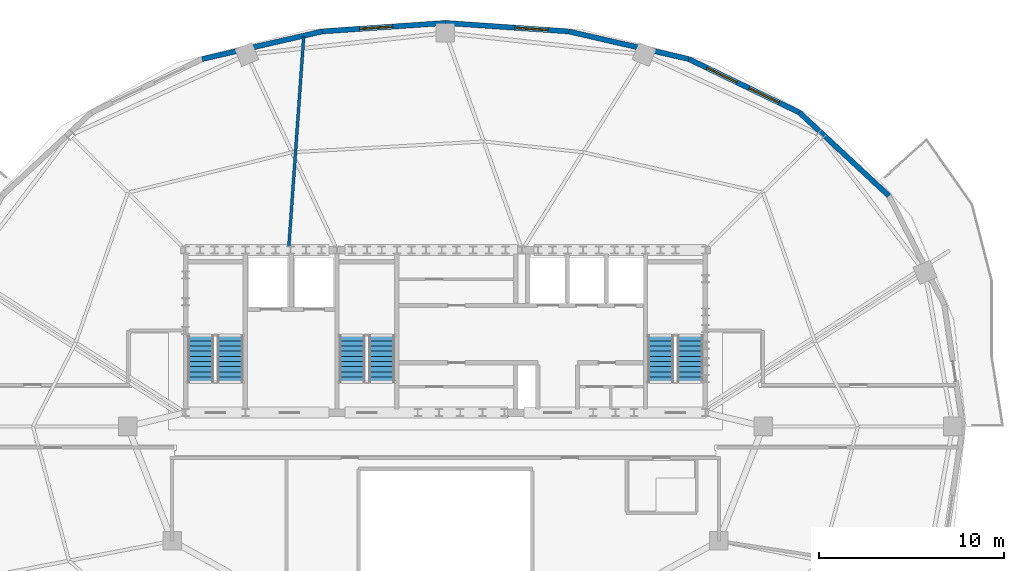
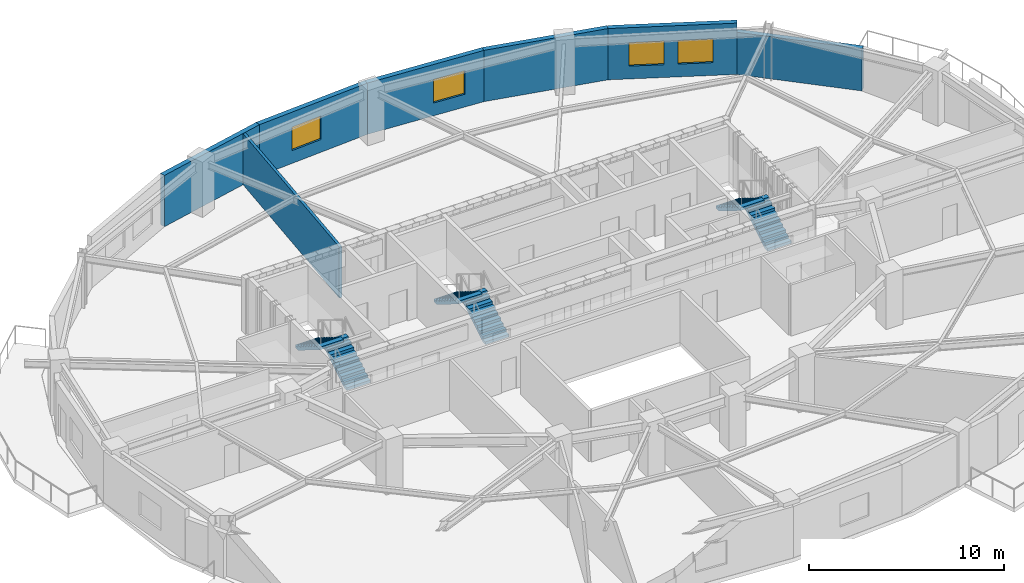
# One storey, part 6 of 11: 7 walls, 6 stair flights, 4 windows, 4 openings, 3 elements without a shape of their own.
"""IFC4 building model written with IfcOpenShell, lengths in metres."""

from ifc_helpers import new_model, si_unit, direction, frame, frame_2d, origin, place, context, subcontext, project, spatial, polyline, rectangle, outline, extrude, material, layer, layer_set, type_object, element, fill, aggregate, save


model = new_model("IFC4")

# Units and contexts
model_context = context("Model", 3, precision=1e-05, world=origin(), true_north=direction((0.0, 1.0)))
body_context = subcontext(model_context, "Body", "Model", "MODEL_VIEW")
ifc_project = project(units=[si_unit("LENGTHUNIT", "METRE"), si_unit("AREAUNIT", "SQUARE_METRE"), si_unit("VOLUMEUNIT", "CUBIC_METRE"), si_unit("PLANEANGLEUNIT", "RADIAN"), si_unit("MASSUNIT", "GRAM", prefix="KILO")], contexts=[model_context])

# Site, building, storey
site_placement = place(None, origin())
site = spatial("IfcSite", under=ifc_project, at=site_placement, CompositionType="ELEMENT")
building_placement = place(site_placement, origin())
building = spatial("IfcBuilding", under=site, at=building_placement, Name="Haldorwick Loom Tower", CompositionType="ELEMENT")
storey_placement = place(building_placement, frame((0.0, 0.0, 234.0)))
storey = spatial("IfcBuildingStorey", under=building, at=storey_placement, Name="L63", CompositionType="ELEMENT", Elevation=234.0)

# Wall
ifc_material_1 = material(Name="Pressed Clay Face Brick and Insulated Masonry Backup Assembly", Category="masonry")
ifc_layer_1 = layer(ifc_material_1, 0.280029296875, Name="Pressed Clay Face Brick and Insulated Masonry Backup Assembly", Category="masonry")
ifc_layer_set_1 = layer_set([ifc_layer_1], Name="Pressed Clay Face Brick and Insulated Masonry Backup Assembly")
wall_type_1 = type_object("IfcWallType", Name="ARC-WL-EXT280", PredefinedType="STANDARD", material=ifc_layer_set_1)
wall_1_placement = place(storey_placement, frame((60.005615234375, 38.4853515625, 0.0), z_axis=(0.0, 0.0, 1.0), x_axis=(-0.731833707499, 0.681483253329, 0.0)))
element("IfcWall", 1, at=wall_1_placement, inside=storey, type_object=wall_type_1, Name="L63 Brick Pier and Spandrel Wall 3", PredefinedType="STANDARD", context=body_context, shape_type="SweptSolid", body=[
    extrude(rectangle(XDim=6.61865234375, YDim=0.280029296875, at=frame_2d((3.309326171875, 0.0))), origin(), (0.0, 0.0, 1.0), 2.64111328125),
])

# Wall, openings, windows
wall_2_placement = place(storey_placement, frame((55.161865234375, 42.995849609375, 0.0), z_axis=(0.0, 0.0, 1.0), x_axis=(-0.900371236029, 0.435122554381, 0.0)))
wall_2 = element("IfcWall", 2, at=wall_2_placement, inside=storey, type_object=wall_type_1, Name="L63 Brick Pier and Spandrel Wall 4", PredefinedType="STANDARD", context=body_context, shape_type="SweptSolid", body=[
    extrude(rectangle(XDim=6.6533203125, YDim=0.280029296875, at=frame_2d((3.32666015625, 0.0))), origin(), (0.0, 0.0, 1.0), 3.2099609375),
])
opening_1_placement = place(wall_2_placement, frame((1.234375, 0.0, 0.800048828125)))
opening_1 = element("IfcOpeningElement", 3, at=opening_1_placement, cuts=wall_2, Name="Opening W-01", PredefinedType="OPENING", context=body_context, shape_type="SweptSolid", body=[
    extrude(rectangle(XDim=1.800048828125, YDim=1.47998046875, at=frame_2d((0.89990234375, 0.739990234375))), frame((0.0, 0.14990234375, 0.0), z_axis=(0.0, -1.0, 0.0), x_axis=(1.0, 0.0, 0.0)), (0.0, 0.0, 1.0), 0.300048828125),
])
opening_2_placement = place(wall_2_placement, frame((3.75732421875, 0.0, 0.800048828125)))
opening_2 = element("IfcOpeningElement", 4, at=opening_2_placement, cuts=wall_2, Name="Opening W-01", PredefinedType="OPENING", context=body_context, shape_type="SweptSolid", body=[
    extrude(rectangle(XDim=1.800048828125, YDim=1.47998046875, at=frame_2d((0.89990234375, 0.739990234375))), frame((0.0, 0.14990234375, 0.0), z_axis=(0.0, -1.0, 0.0), x_axis=(1.0, 0.0, 0.0)), (0.0, 0.0, 1.0), 0.300048828125),
])
ifc_material_2 = material(Name="Triple-Glazed Low-E Argon Insulated Glazing Unit", Category="glass")
window_type = type_object("IfcWindowType", Name="ARC-WIN-W180", PartitioningType="SINGLE_PANEL", PredefinedType="WINDOW", material=ifc_material_2)
window_1_placement = place(opening_1_placement, origin())
window_1 = element("IfcWindow", 5, at=window_1_placement, inside=storey, type_object=window_type, Name="L63 Deep-Set Zone 7A Window 4", OverallHeight=1.47998046875, OverallWidth=1.800048828125, PartitioningType="SINGLE_PANEL", PredefinedType="WINDOW", context=body_context, shape_type="SweptSolid", body=[
    extrude(rectangle(XDim=1.800048828125, YDim=1.47998046875, at=frame_2d((0.89990234375, 0.739990234375))), frame((0.0, 0.030029296875, 0.0), z_axis=(0.0, -1.0, 0.0), x_axis=(1.0, 0.0, 0.0)), (0.0, 0.0, 1.0), 0.06005859375),
])
fill(opening_1, window_1)
window_2_placement = place(opening_2_placement, origin())
window_2 = element("IfcWindow", 6, at=window_2_placement, inside=storey, type_object=window_type, Name="L63 Deep-Set Zone 7A Window 4", OverallHeight=1.47998046875, OverallWidth=1.800048828125, PartitioningType="SINGLE_PANEL", PredefinedType="WINDOW", context=body_context, shape_type="SweptSolid", body=[
    extrude(rectangle(XDim=1.800048828125, YDim=1.47998046875, at=frame_2d((0.89990234375, 0.739990234375))), frame((0.0, 0.030029296875, 0.0), z_axis=(0.0, -1.0, 0.0), x_axis=(1.0, 0.0, 0.0)), (0.0, 0.0, 1.0), 0.06005859375),
])
fill(opening_2, window_2)

# Wall
wall_3_placement = place(storey_placement, frame((49.17138671875, 45.890869140625, 0.0), z_axis=(0.0, 0.0, 1.0), x_axis=(-0.974557343474, 0.224138315065, 0.0)))
element("IfcWall", 7, at=wall_3_placement, inside=storey, type_object=wall_type_1, Name="L63 Brick Pier and Spandrel Wall 5", PredefinedType="STANDARD", context=body_context, shape_type="SweptSolid", body=[
    extrude(rectangle(XDim=6.676025390625, YDim=0.280029296875, at=frame_2d((3.337890625, 0.0))), origin(), (0.0, 0.0, 1.0), 3.2099609375),
])

# Wall, opening, window
wall_4_placement = place(storey_placement, frame((42.665283203125, 47.38720703125, 0.0), z_axis=(0.0, 0.0, 1.0), x_axis=(-0.99764992135, 0.068517402386, 0.0)))
wall_4 = element("IfcWall", 8, at=wall_4_placement, inside=storey, type_object=wall_type_1, Name="L63 Brick Pier and Spandrel Wall 6", PredefinedType="STANDARD", context=body_context, shape_type="SweptSolid", body=[
    extrude(rectangle(XDim=6.680908203125, YDim=0.280029296875, at=frame_2d((3.34033203125, 0.0))), origin(), (0.0, 0.0, 1.0), 3.2099609375),
])
opening_3_placement = place(wall_4_placement, frame((1.104248046875, 0.0, 0.800048828125)))
opening_3 = element("IfcOpeningElement", 9, at=opening_3_placement, cuts=wall_4, Name="Opening W-01", PredefinedType="OPENING", context=body_context, shape_type="SweptSolid", body=[
    extrude(rectangle(XDim=1.800048828125, YDim=1.47998046875, at=frame_2d((0.89990234375, 0.739990234375))), frame((0.0, 0.14990234375, 0.0), z_axis=(0.0, -1.0, 0.0), x_axis=(1.0, 0.0, 0.0)), (0.0, 0.0, 1.0), 0.300048828125),
])
window_3_placement = place(opening_3_placement, origin())
window_3 = element("IfcWindow", 10, at=window_3_placement, inside=storey, type_object=window_type, Name="L63 Deep-Set Zone 7A Window 6", OverallHeight=1.47998046875, OverallWidth=1.800048828125, PartitioningType="SINGLE_PANEL", PredefinedType="WINDOW", context=body_context, shape_type="SweptSolid", body=[
    extrude(rectangle(XDim=1.800048828125, YDim=1.47998046875, at=frame_2d((0.89990234375, 0.739990234375))), frame((0.0, 0.030029296875, 0.0), z_axis=(0.0, -1.0, 0.0), x_axis=(1.0, 0.0, 0.0)), (0.0, 0.0, 1.0), 0.06005859375),
])
fill(opening_3, window_3)

wall_5_placement = place(storey_placement, frame((36.0, 47.844970703125, 0.0), z_axis=(0.0, 0.0, 1.0), x_axis=(-0.99764992135, -0.068517402386, 0.0)))
wall_5 = element("IfcWall", 11, at=wall_5_placement, inside=storey, type_object=wall_type_1, Name="L63 Brick Pier and Spandrel Wall 7", PredefinedType="STANDARD", context=body_context, shape_type="SweptSolid", body=[
    extrude(rectangle(XDim=6.680908203125, YDim=0.280029296875, at=frame_2d((3.34033203125, 0.0))), origin(), (0.0, 0.0, 1.0), 3.2099609375),
])
opening_4_placement = place(wall_5_placement, frame((2.860595703125, 0.0, 0.800048828125)))
opening_4 = element("IfcOpeningElement", 12, at=opening_4_placement, cuts=wall_5, Name="Opening W-01", PredefinedType="OPENING", context=body_context, shape_type="SweptSolid", body=[
    extrude(rectangle(XDim=1.800048828125, YDim=1.47998046875, at=frame_2d((0.89990234375, 0.739990234375))), frame((0.0, 0.14990234375, 0.0), z_axis=(0.0, -1.0, 0.0), x_axis=(1.0, 0.0, 0.0)), (0.0, 0.0, 1.0), 0.300048828125),
])
window_4_placement = place(opening_4_placement, origin())
window_4 = element("IfcWindow", 13, at=window_4_placement, inside=storey, type_object=window_type, Name="L63 Deep-Set Zone 7A Window 7", OverallHeight=1.47998046875, OverallWidth=1.800048828125, PartitioningType="SINGLE_PANEL", PredefinedType="WINDOW", context=body_context, shape_type="SweptSolid", body=[
    extrude(rectangle(XDim=1.800048828125, YDim=1.47998046875, at=frame_2d((0.89990234375, 0.739990234375))), frame((0.0, 0.030029296875, 0.0), z_axis=(0.0, -1.0, 0.0), x_axis=(1.0, 0.0, 0.0)), (0.0, 0.0, 1.0), 0.06005859375),
])
fill(opening_4, window_4)

# Walls
wall_6_placement = place(storey_placement, frame((29.334716796875, 47.38720703125, 0.0), z_axis=(0.0, 0.0, 1.0), x_axis=(-0.974557343474, -0.224138315065, 0.0)))
element("IfcWall", 14, at=wall_6_placement, inside=storey, type_object=wall_type_1, Name="L63 Brick Pier and Spandrel Wall 8", PredefinedType="STANDARD", context=body_context, shape_type="SweptSolid", body=[
    extrude(rectangle(XDim=6.676025390625, YDim=0.280029296875, at=frame_2d((3.337890625, 0.0))), origin(), (0.0, 0.0, 1.0), 3.2099609375),
])
ifc_material_3 = material(Name="Fire-Rated Type X Gypsum Stud Assembly EI 60")
ifc_layer_2 = layer(ifc_material_3, 0.159912109375, Name="Fire-Rated Type X Gypsum Stud Assembly EI 60")
ifc_layer_set_2 = layer_set([ifc_layer_2], Name="Fire-Rated Type X Gypsum Stud Assembly EI 60")
wall_type_2 = type_object("IfcWallType", Name="ARC-WL-FIRE160", PredefinedType="PARTITIONING", material=ifc_layer_set_2)
wall_7_placement = place(storey_placement, frame((27.521484375, 35.7529296875, 0.0), z_axis=(0.0, 0.0, 1.0), x_axis=(0.070702976907, 0.997497413058, 0.0)))
element("IfcWall", 15, at=wall_7_placement, inside=storey, type_object=wall_type_2, Name="L63 Residential Fire Partition L63-UPN-C3", PredefinedType="PARTITIONING", context=body_context, shape_type="SweptSolid", body=[
    extrude(rectangle(XDim=11.384765625, YDim=0.159912109375, at=frame_2d((5.6923828125, 0.0))), origin(), (0.0, 0.0, 1.0), 3.195068359375),
])

# Stair, stair flights
ifc_material_4 = material(Name="Concrete C40 (40 MPa)", Category="concrete")
stair_type = type_object("IfcStairType", Name="STR-STR-CORE", PredefinedType="HALF_TURN_STAIR", material=ifc_material_4)
stair_1_placement = place(storey_placement, origin())
stair_1 = element("IfcStair", 16, at=stair_1_placement, inside=storey, type_object=stair_type, Name="L63 Exit Stair ST-01", PredefinedType="HALF_TURN_STAIR")
stair_flight_type = type_object("IfcStairFlightType", Name="STR-STF-1250", PredefinedType="STRAIGHT", material=ifc_material_4)
stair_flight_1_placement = place(storey_placement, frame((24.35009765625, 28.39990234375, 0.0), z_axis=(0.0, 0.0, 1.0), x_axis=(0.0, 1.0, 0.0)))
stair_flight_1 = element("IfcStairFlight", 17, at=stair_flight_1_placement, type_object=stair_flight_type, Name="ST-01 flight 1", NumberOfRisers=10, NumberOfTreads=9, PredefinedType="STRAIGHT", RiserHeight=0.1725, TreadLength=0.28, context=body_context, shape_type="SweptSolid", body=[
    extrude(outline(polyline([(0.0, 0.0), (0.0, 0.172607421875), (0.280029296875, 0.172607421875), (0.280029296875, 0.344970703125), (0.56005859375, 0.344970703125), (0.56005859375, 0.517578125), (0.840087890625, 0.517578125), (0.840087890625, 0.68994140625), (1.1201171875, 0.68994140625), (1.1201171875, 0.862548828125), (1.39990234375, 0.862548828125), (1.39990234375, 1.034912109375), (1.679931640625, 1.034912109375), (1.679931640625, 1.20751953125), (1.9599609375, 1.20751953125), (1.9599609375, 1.3798828125), (2.239990234375, 1.3798828125), (2.239990234375, 1.552490234375), (2.52001953125, 1.552490234375), (2.52001953125, 1.72509765625), (2.52001953125, 1.37646484375), (0.285888671875, 0.0), (0.0, 0.0)])), frame((0.0, 0.699951171875, 0.0), z_axis=(0.0, -1.0, 0.0), x_axis=(1.0, 0.0, 0.0)), (0.0, 0.0, 1.0), 1.39990234375),
])
stair_flight_2_placement = place(storey_placement, frame((22.75, 30.919921875, 1.72509765625), z_axis=(0.0, 0.0, 1.0), x_axis=(0.0, -1.0, 0.0)))
stair_flight_2 = element("IfcStairFlight", 18, at=stair_flight_2_placement, type_object=stair_flight_type, Name="ST-01 flight 2", NumberOfRisers=10, NumberOfTreads=9, PredefinedType="STRAIGHT", RiserHeight=0.1725, TreadLength=0.28, context=body_context, shape_type="SweptSolid", body=[
    extrude(outline(polyline([(0.0, 0.0), (0.0, 0.172607421875), (0.280029296875, 0.172607421875), (0.280029296875, 0.344970703125), (0.56005859375, 0.344970703125), (0.56005859375, 0.517578125), (0.840087890625, 0.517578125), (0.840087890625, 0.68994140625), (1.1201171875, 0.68994140625), (1.1201171875, 0.862548828125), (1.39990234375, 0.862548828125), (1.39990234375, 1.034912109375), (1.679931640625, 1.034912109375), (1.679931640625, 1.20751953125), (1.9599609375, 1.20751953125), (1.9599609375, 1.3798828125), (2.239990234375, 1.3798828125), (2.239990234375, 1.552490234375), (2.52001953125, 1.552490234375), (2.52001953125, 1.72509765625), (2.52001953125, 1.37646484375), (0.285888671875, 0.0), (0.0, 0.0)])), frame((0.0, 0.699951171875, 0.0), z_axis=(0.0, -1.0, 0.0), x_axis=(1.0, 0.0, 0.0)), (0.0, 0.0, 1.0), 1.39990234375),
])
aggregate(stair_1, [stair_flight_1, stair_flight_2])

stair_2_placement = place(storey_placement, origin())
stair_2 = element("IfcStair", 19, at=stair_2_placement, inside=storey, type_object=stair_type, Name="L63 Exit Stair ST-02", PredefinedType="HALF_TURN_STAIR")
stair_flight_3_placement = place(storey_placement, frame((49.25, 28.39990234375, 0.0), z_axis=(0.0, 0.0, 1.0), x_axis=(0.0, 1.0, 0.0)))
stair_flight_3 = element("IfcStairFlight", 20, at=stair_flight_3_placement, type_object=stair_flight_type, Name="ST-02 flight 1", NumberOfRisers=10, NumberOfTreads=9, PredefinedType="STRAIGHT", RiserHeight=0.1725, TreadLength=0.28, context=body_context, shape_type="SweptSolid", body=[
    extrude(outline(polyline([(0.0, 0.0), (0.0, 0.172607421875), (0.280029296875, 0.172607421875), (0.280029296875, 0.344970703125), (0.56005859375, 0.344970703125), (0.56005859375, 0.517578125), (0.840087890625, 0.517578125), (0.840087890625, 0.68994140625), (1.1201171875, 0.68994140625), (1.1201171875, 0.862548828125), (1.39990234375, 0.862548828125), (1.39990234375, 1.034912109375), (1.679931640625, 1.034912109375), (1.679931640625, 1.20751953125), (1.9599609375, 1.20751953125), (1.9599609375, 1.3798828125), (2.239990234375, 1.3798828125), (2.239990234375, 1.552490234375), (2.52001953125, 1.552490234375), (2.52001953125, 1.72509765625), (2.52001953125, 1.37646484375), (0.285888671875, 0.0), (0.0, 0.0)])), frame((0.0, 0.699951171875, 0.0), z_axis=(0.0, -1.0, 0.0), x_axis=(1.0, 0.0, 0.0)), (0.0, 0.0, 1.0), 1.39990234375),
])
stair_flight_4_placement = place(storey_placement, frame((47.64990234375, 30.919921875, 1.72509765625), z_axis=(0.0, 0.0, 1.0), x_axis=(0.0, -1.0, 0.0)))
stair_flight_4 = element("IfcStairFlight", 21, at=stair_flight_4_placement, type_object=stair_flight_type, Name="ST-02 flight 2", NumberOfRisers=10, NumberOfTreads=9, PredefinedType="STRAIGHT", RiserHeight=0.1725, TreadLength=0.28, context=body_context, shape_type="SweptSolid", body=[
    extrude(outline(polyline([(0.0, 0.0), (0.0, 0.172607421875), (0.280029296875, 0.172607421875), (0.280029296875, 0.344970703125), (0.56005859375, 0.344970703125), (0.56005859375, 0.517578125), (0.840087890625, 0.517578125), (0.840087890625, 0.68994140625), (1.1201171875, 0.68994140625), (1.1201171875, 0.862548828125), (1.39990234375, 0.862548828125), (1.39990234375, 1.034912109375), (1.679931640625, 1.034912109375), (1.679931640625, 1.20751953125), (1.9599609375, 1.20751953125), (1.9599609375, 1.3798828125), (2.239990234375, 1.3798828125), (2.239990234375, 1.552490234375), (2.52001953125, 1.552490234375), (2.52001953125, 1.72509765625), (2.52001953125, 1.37646484375), (0.285888671875, 0.0), (0.0, 0.0)])), frame((0.0, 0.699951171875, 0.0), z_axis=(0.0, -1.0, 0.0), x_axis=(1.0, 0.0, 0.0)), (0.0, 0.0, 1.0), 1.39990234375),
])
aggregate(stair_2, [stair_flight_3, stair_flight_4])

stair_3_placement = place(storey_placement, origin())
stair_3 = element("IfcStair", 22, at=stair_3_placement, inside=storey, type_object=stair_type, Name="L63 Exit Stair ST-03", PredefinedType="HALF_TURN_STAIR")
stair_flight_5_placement = place(storey_placement, frame((32.550048828125, 28.39990234375, 0.0), z_axis=(0.0, 0.0, 1.0), x_axis=(0.0, 1.0, 0.0)))
stair_flight_5 = element("IfcStairFlight", 23, at=stair_flight_5_placement, type_object=stair_flight_type, Name="ST-03 flight 1", NumberOfRisers=10, NumberOfTreads=9, PredefinedType="STRAIGHT", RiserHeight=0.1725, TreadLength=0.28, context=body_context, shape_type="SweptSolid", body=[
    extrude(outline(polyline([(0.0, 0.0), (0.0, 0.172607421875), (0.280029296875, 0.172607421875), (0.280029296875, 0.344970703125), (0.56005859375, 0.344970703125), (0.56005859375, 0.517578125), (0.840087890625, 0.517578125), (0.840087890625, 0.68994140625), (1.1201171875, 0.68994140625), (1.1201171875, 0.862548828125), (1.39990234375, 0.862548828125), (1.39990234375, 1.034912109375), (1.679931640625, 1.034912109375), (1.679931640625, 1.20751953125), (1.9599609375, 1.20751953125), (1.9599609375, 1.3798828125), (2.239990234375, 1.3798828125), (2.239990234375, 1.552490234375), (2.52001953125, 1.552490234375), (2.52001953125, 1.72509765625), (2.52001953125, 1.37646484375), (0.285888671875, 0.0), (0.0, 0.0)])), frame((0.0, 0.699951171875, 0.0), z_axis=(0.0, -1.0, 0.0), x_axis=(1.0, 0.0, 0.0)), (0.0, 0.0, 1.0), 1.39990234375),
])
stair_flight_6_placement = place(storey_placement, frame((30.949951171875, 30.919921875, 1.72509765625), z_axis=(0.0, 0.0, 1.0), x_axis=(0.0, -1.0, 0.0)))
stair_flight_6 = element("IfcStairFlight", 24, at=stair_flight_6_placement, type_object=stair_flight_type, Name="ST-03 flight 2", NumberOfRisers=10, NumberOfTreads=9, PredefinedType="STRAIGHT", RiserHeight=0.1725, TreadLength=0.28, context=body_context, shape_type="SweptSolid", body=[
    extrude(outline(polyline([(0.0, 0.0), (0.0, 0.172607421875), (0.280029296875, 0.172607421875), (0.280029296875, 0.344970703125), (0.56005859375, 0.344970703125), (0.56005859375, 0.517578125), (0.840087890625, 0.517578125), (0.840087890625, 0.68994140625), (1.1201171875, 0.68994140625), (1.1201171875, 0.862548828125), (1.39990234375, 0.862548828125), (1.39990234375, 1.034912109375), (1.679931640625, 1.034912109375), (1.679931640625, 1.20751953125), (1.9599609375, 1.20751953125), (1.9599609375, 1.3798828125), (2.239990234375, 1.3798828125), (2.239990234375, 1.552490234375), (2.52001953125, 1.552490234375), (2.52001953125, 1.72509765625), (2.52001953125, 1.37646484375), (0.285888671875, 0.0), (0.0, 0.0)])), frame((0.0, 0.699951171875, 0.0), z_axis=(0.0, -1.0, 0.0), x_axis=(1.0, 0.0, 0.0)), (0.0, 0.0, 1.0), 1.39990234375),
])
aggregate(stair_3, [stair_flight_5, stair_flight_6])

save(model, "model.ifc")
